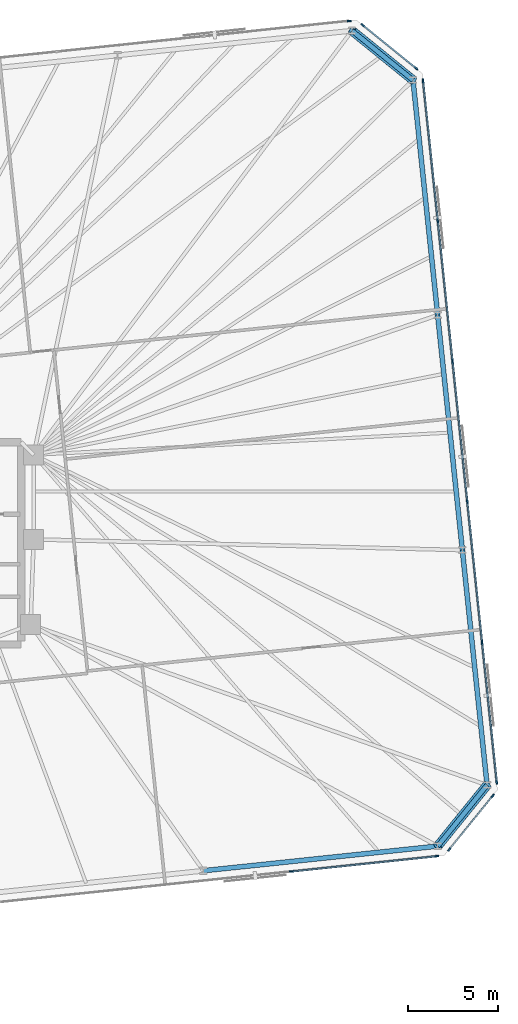
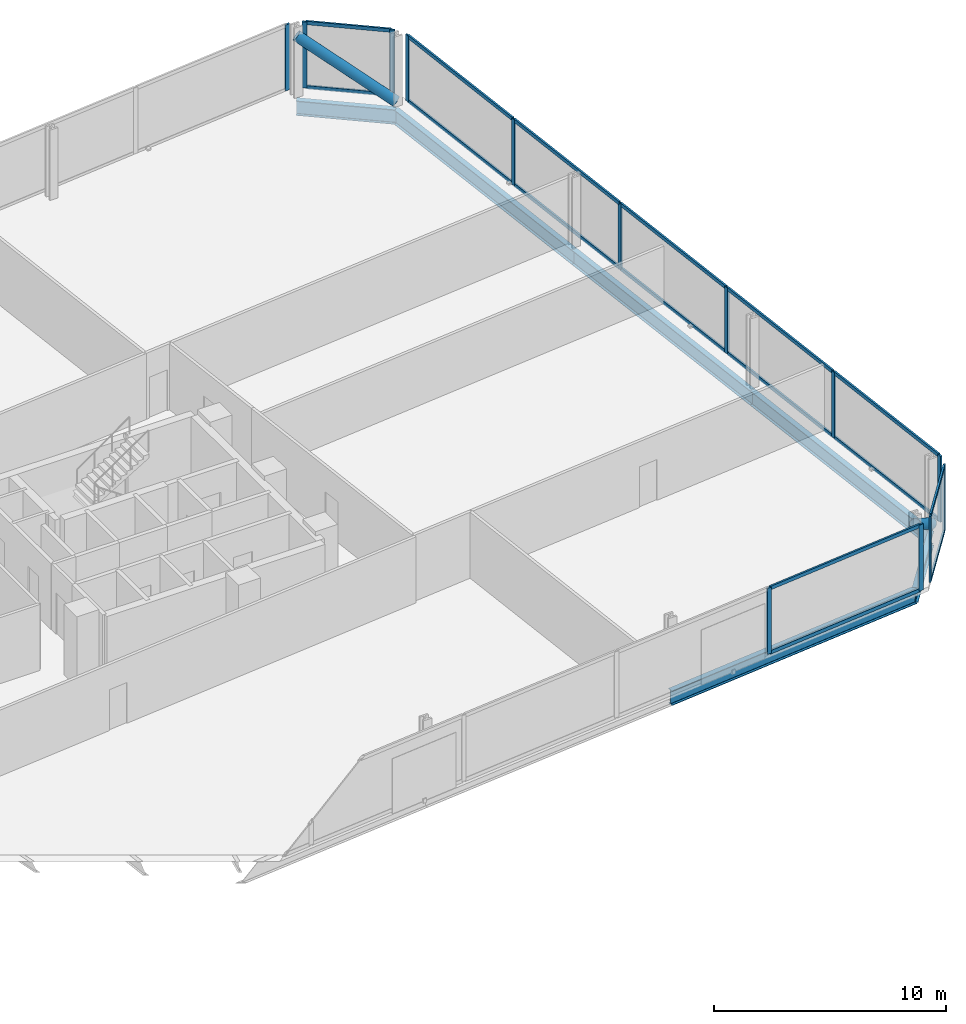
# One storey, part 12 of 18: 31 members, 6 beams, 5 elements without a shape of their own.
"""IFC4 building model written with IfcOpenShell, lengths in metres."""

from ifc_helpers import new_model, si_unit, direction, frame, origin, origin_2d, place, context, subcontext, project, spatial, rectangle, hollow_circle, i_section, extrude, material, material_profile, profile_set, type_object, element, aggregate, save


model = new_model("IFC4")

# Units and contexts
model_context = context("Model", 3, precision=1e-05, world=origin(), true_north=direction((0.0, 1.0)))
body_context = subcontext(model_context, "Body", "Model", "MODEL_VIEW")
ifc_project = project(units=[si_unit("LENGTHUNIT", "METRE"), si_unit("AREAUNIT", "SQUARE_METRE"), si_unit("VOLUMEUNIT", "CUBIC_METRE"), si_unit("PLANEANGLEUNIT", "RADIAN"), si_unit("MASSUNIT", "GRAM", prefix="KILO")], contexts=[model_context])

# Site, building, storey
site_placement = place(None, origin())
site = spatial("IfcSite", under=ifc_project, at=site_placement, CompositionType="ELEMENT")
building_placement = place(site_placement, origin())
building = spatial("IfcBuilding", under=site, at=building_placement, Name="Menara Jurai Vektor", CompositionType="ELEMENT")
storey_placement = place(building_placement, frame((0.0, 0.0, 135.5)))
storey = spatial("IfcBuildingStorey", under=building, at=storey_placement, Name="L34", CompositionType="ELEMENT", Elevation=135.5)

# Curtain wall, members
ifc_material_1 = material(Name="Anodised Pale Aluminium & Low-E Double Glazing", Category="aluminium")
curtain_wall_type = type_object("IfcCurtainWallType", Name="CW-BLK2", PredefinedType="NOTDEFINED", material=ifc_material_1)
curtain_wall_1_placement = place(storey_placement, origin())
curtain_wall_1 = element("IfcCurtainWall", 1, at=curtain_wall_1_placement, inside=storey, type_object=curtain_wall_type, Name="Unitised Curtain Wall L34 F01", PredefinedType="NOTDEFINED")
ifc_material_2 = material(Name="Anodised Pale Aluminium Mullion", Category="aluminium")
ifc_material_profile_1 = material_profile(ifc_material_2, rectangle(XDim=0.090087890625, YDim=0.219970703125, at=origin_2d()), Name="ALU MUL 90x220")
ifc_profile_set_1 = profile_set([ifc_material_profile_1], Name="Anodised Pale Aluminium Mullion")
member_type_1 = type_object("IfcMemberType", Name="CW-BLK2-MUL", PredefinedType="MULLION", material=ifc_profile_set_1)
member_1_placement = place(storey_placement, frame((29.52392578125, -18.169189453125, 0.0), z_axis=(0.0, 0.0, 1.0), x_axis=(-0.104528634935, 0.994521877325, 0.0)))
member_1 = element("IfcMember", 2, at=member_1_placement, type_object=member_type_1, Name="CW-02 mullion 8", PredefinedType="MULLION", context=body_context, shape_type="SweptSolid", body=[
    extrude(rectangle(XDim=0.090087890625, YDim=0.219970703125, at=origin_2d()), origin(), (0.0, 0.0, 1.0), 3.47509765625),
])
member_2_placement = place(storey_placement, frame((37.5771484375, -17.32275390625, 0.0), z_axis=(0.0, 0.0, 1.0), x_axis=(-0.104528634935, 0.994521877325, 0.0)))
member_2 = element("IfcMember", 3, at=member_2_placement, type_object=member_type_1, Name="CW-02 mullion 9", PredefinedType="MULLION", context=body_context, shape_type="SweptSolid", body=[
    extrude(rectangle(XDim=0.090087890625, YDim=0.219970703125, at=origin_2d()), origin(), (0.0, 0.0, 1.0), 3.47509765625),
])

curtain_wall_2_placement = place(storey_placement, origin())
curtain_wall_2 = element("IfcCurtainWall", 4, at=curtain_wall_2_placement, inside=storey, type_object=curtain_wall_type, Name="Unitised Curtain Wall L34 F02", PredefinedType="NOTDEFINED")
member_3_placement = place(storey_placement, frame((38.267333984375, -16.9482421875, 0.0), z_axis=(0.0, 0.0, 1.0), x_axis=(-0.777129222223, 0.62934106172, 0.0)))
member_3 = element("IfcMember", 5, at=member_3_placement, type_object=member_type_1, Name="CW-02 mullion 1", PredefinedType="MULLION", context=body_context, shape_type="SweptSolid", body=[
    extrude(rectangle(XDim=0.090087890625, YDim=0.219970703125, at=origin_2d()), origin(), (0.0, 0.0, 1.0), 3.47509765625),
])
member_4_placement = place(storey_placement, frame((40.66943359375, -13.98193359375, 0.0), z_axis=(0.0, 0.0, 1.0), x_axis=(-0.777129222223, 0.62934106172, 0.0)))
member_4 = element("IfcMember", 6, at=member_4_placement, type_object=member_type_1, Name="CW-02 mullion 2", PredefinedType="MULLION", context=body_context, shape_type="SweptSolid", body=[
    extrude(rectangle(XDim=0.090087890625, YDim=0.219970703125, at=origin_2d()), origin(), (0.0, 0.0, 1.0), 3.47509765625),
])

curtain_wall_3_placement = place(storey_placement, origin())
curtain_wall_3 = element("IfcCurtainWall", 7, at=curtain_wall_3_placement, inside=storey, type_object=curtain_wall_type, Name="Unitised Curtain Wall L34 F03", PredefinedType="NOTDEFINED")
member_5_placement = place(storey_placement, frame((40.892333984375, -13.22900390625, 0.0), z_axis=(0.0, 0.0, 1.0), x_axis=(-0.99452177832, -0.104529576902, 0.0)))
member_5 = element("IfcMember", 8, at=member_5_placement, type_object=member_type_1, Name="CW-02 mullion 1", PredefinedType="MULLION", context=body_context, shape_type="SweptSolid", body=[
    extrude(rectangle(XDim=0.090087890625, YDim=0.219970703125, at=origin_2d()), origin(), (0.0, 0.0, 1.0), 3.47509765625),
])
member_6_placement = place(storey_placement, frame((40.078857421875, -5.488525390625, 0.0), z_axis=(0.0, 0.0, 1.0), x_axis=(-0.99452177832, -0.104529576902, 0.0)))
member_6 = element("IfcMember", 9, at=member_6_placement, type_object=member_type_1, Name="CW-02 mullion 2", PredefinedType="MULLION", context=body_context, shape_type="SweptSolid", body=[
    extrude(rectangle(XDim=0.090087890625, YDim=0.219970703125, at=origin_2d()), origin(), (0.0, 0.0, 1.0), 3.47509765625),
])
member_7_placement = place(storey_placement, frame((39.260498046875, 2.296630859375, 0.0), z_axis=(0.0, 0.0, 1.0), x_axis=(-0.99452177832, -0.104529576902, 0.0)))
member_7 = element("IfcMember", 10, at=member_7_placement, type_object=member_type_1, Name="CW-02 mullion 3", PredefinedType="MULLION", context=body_context, shape_type="SweptSolid", body=[
    extrude(rectangle(XDim=0.090087890625, YDim=0.219970703125, at=origin_2d()), origin(), (0.0, 0.0, 1.0), 3.47509765625),
])
member_8_placement = place(storey_placement, frame((38.4423828125, 10.081787109375, 0.0), z_axis=(0.0, 0.0, 1.0), x_axis=(-0.99452177832, -0.104529576902, 0.0)))
member_8 = element("IfcMember", 11, at=member_8_placement, type_object=member_type_1, Name="CW-02 mullion 4", PredefinedType="MULLION", context=body_context, shape_type="SweptSolid", body=[
    extrude(rectangle(XDim=0.090087890625, YDim=0.219970703125, at=origin_2d()), origin(), (0.0, 0.0, 1.0), 3.47509765625),
])
member_9_placement = place(storey_placement, frame((37.6240234375, 17.866943359375, 0.0), z_axis=(0.0, 0.0, 1.0), x_axis=(-0.99452177832, -0.104529576902, 0.0)))
member_9 = element("IfcMember", 12, at=member_9_placement, type_object=member_type_1, Name="CW-02 mullion 5", PredefinedType="MULLION", context=body_context, shape_type="SweptSolid", body=[
    extrude(rectangle(XDim=0.090087890625, YDim=0.219970703125, at=origin_2d()), origin(), (0.0, 0.0, 1.0), 3.47509765625),
])
member_10_placement = place(storey_placement, frame((36.810546875, 25.607177734375, 0.0), z_axis=(0.0, 0.0, 1.0), x_axis=(-0.99452177832, -0.104529576902, 0.0)))
member_10 = element("IfcMember", 13, at=member_10_placement, type_object=member_type_1, Name="CW-02 mullion 6", PredefinedType="MULLION", context=body_context, shape_type="SweptSolid", body=[
    extrude(rectangle(XDim=0.090087890625, YDim=0.219970703125, at=origin_2d()), origin(), (0.0, 0.0, 1.0), 3.47509765625),
])

curtain_wall_4_placement = place(storey_placement, origin())
curtain_wall_4 = element("IfcCurtainWall", 14, at=curtain_wall_4_placement, inside=storey, type_object=curtain_wall_type, Name="Unitised Curtain Wall L34 F04", PredefinedType="NOTDEFINED")
member_11_placement = place(storey_placement, frame((36.435791015625, 26.29736328125, 0.0), z_axis=(0.0, 0.0, 1.0), x_axis=(-0.629313085353, -0.777151877437, 0.0)))
member_11 = element("IfcMember", 15, at=member_11_placement, type_object=member_type_1, Name="CW-02 mullion 1", PredefinedType="MULLION", context=body_context, shape_type="SweptSolid", body=[
    extrude(rectangle(XDim=0.090087890625, YDim=0.219970703125, at=origin_2d()), origin(), (0.0, 0.0, 1.0), 3.47509765625),
])
member_12_placement = place(storey_placement, frame((33.469482421875, 28.699462890625, 0.0), z_axis=(0.0, 0.0, 1.0), x_axis=(-0.629313085353, -0.777151877437, 0.0)))
member_12 = element("IfcMember", 16, at=member_12_placement, type_object=member_type_1, Name="CW-02 mullion 2", PredefinedType="MULLION", context=body_context, shape_type="SweptSolid", body=[
    extrude(rectangle(XDim=0.090087890625, YDim=0.219970703125, at=origin_2d()), origin(), (0.0, 0.0, 1.0), 3.47509765625),
])

# Curtain wall, member
curtain_wall_5_placement = place(storey_placement, origin())
curtain_wall_5 = element("IfcCurtainWall", 17, at=curtain_wall_5_placement, inside=storey, type_object=curtain_wall_type, Name="Unitised Curtain Wall L34 F05", PredefinedType="NOTDEFINED")
member_13_placement = place(storey_placement, frame((32.716552734375, 28.92236328125, 0.0), z_axis=(0.0, 0.0, 1.0), x_axis=(0.104528634935, -0.994521877325, 0.0)))
member_13 = element("IfcMember", 18, at=member_13_placement, type_object=member_type_1, Name="CW-02 mullion 1", PredefinedType="MULLION", context=body_context, shape_type="SweptSolid", body=[
    extrude(rectangle(XDim=0.090087890625, YDim=0.219970703125, at=origin_2d()), origin(), (0.0, 0.0, 1.0), 3.47509765625),
])
aggregate(curtain_wall_5, [member_13])

# Member
ifc_material_3 = material(Name="Anodised Pale Aluminium Transom", Category="aluminium")
ifc_material_profile_2 = material_profile(ifc_material_3, rectangle(XDim=0.090087890625, YDim=0.18505859375, at=origin_2d()), Name="ALU TRN 90x185")
ifc_profile_set_2 = profile_set([ifc_material_profile_2], Name="Anodised Pale Aluminium Transom")
member_type_2 = type_object("IfcMemberType", Name="CW-BLK2-TRN", PredefinedType="USERDEFINED", material=ifc_profile_set_2)
member_14_placement = place(storey_placement, frame((29.56884765625, -18.16455078125, 0.044921875), z_axis=(0.994519977808, 0.104546706027, 0.0), x_axis=(-0.104546706027, 0.994519977808, 0.0)))
member_14 = element("IfcMember", 19, at=member_14_placement, type_object=member_type_2, Name="CW-02 transom 8.1", ObjectType="TRANSOM", PredefinedType="USERDEFINED", context=body_context, shape_type="SweptSolid", body=[
    extrude(rectangle(XDim=0.090087890625, YDim=0.18505859375, at=origin_2d()), origin(), (0.0, 0.0, 1.0), 8.007568359375),
])

member_15_placement = place(storey_placement, frame((29.56884765625, -18.16455078125, 3.429931640625), z_axis=(0.994519977808, 0.104546706027, 0.0), x_axis=(-0.104546706027, 0.994519977808, 0.0)))
member_15 = element("IfcMember", 20, at=member_15_placement, type_object=member_type_2, Name="CW-02 transom 8.2", ObjectType="TRANSOM", PredefinedType="USERDEFINED", context=body_context, shape_type="SweptSolid", body=[
    extrude(rectangle(XDim=0.090087890625, YDim=0.18505859375, at=origin_2d()), origin(), (0.0, 0.0, 1.0), 8.007568359375),
])

aggregate(curtain_wall_1, [member_1, member_2, member_14, member_15])

member_16_placement = place(storey_placement, frame((38.295654296875, -16.9130859375, 0.044921875), z_axis=(0.6293414396, 0.777128916205, 0.0), x_axis=(-0.777128916205, 0.6293414396, 0.0)))
member_16 = element("IfcMember", 21, at=member_16_placement, type_object=member_type_2, Name="CW-02 transom 1.1", ObjectType="TRANSOM", PredefinedType="USERDEFINED", context=body_context, shape_type="SweptSolid", body=[
    extrude(rectangle(XDim=0.090087890625, YDim=0.18505859375, at=origin_2d()), origin(), (0.0, 0.0, 1.0), 3.726806640625),
])

member_17_placement = place(storey_placement, frame((38.295654296875, -16.9130859375, 3.429931640625), z_axis=(0.6293414396, 0.777128916205, 0.0), x_axis=(-0.777128916205, 0.6293414396, 0.0)))
member_17 = element("IfcMember", 22, at=member_17_placement, type_object=member_type_2, Name="CW-02 transom 1.2", ObjectType="TRANSOM", PredefinedType="USERDEFINED", context=body_context, shape_type="SweptSolid", body=[
    extrude(rectangle(XDim=0.090087890625, YDim=0.18505859375, at=origin_2d()), origin(), (0.0, 0.0, 1.0), 3.726806640625),
])

aggregate(curtain_wall_2, [member_3, member_4, member_16, member_17])

member_18_placement = place(storey_placement, frame((40.8876953125, -13.18408203125, 0.044921875), z_axis=(-0.104536105602, 0.994521092097, 0.0), x_axis=(-0.994521092097, -0.104536105602, 0.0)))
member_18 = element("IfcMember", 23, at=member_18_placement, type_object=member_type_2, Name="CW-02 transom 1.1", ObjectType="TRANSOM", PredefinedType="USERDEFINED", context=body_context, shape_type="SweptSolid", body=[
    extrude(rectangle(XDim=0.090087890625, YDim=0.18505859375, at=origin_2d()), origin(), (0.0, 0.0, 1.0), 7.693115234375),
])

member_19_placement = place(storey_placement, frame((40.8876953125, -13.18408203125, 3.429931640625), z_axis=(-0.104536105602, 0.994521092097, 0.0), x_axis=(-0.994521092097, -0.104536105602, 0.0)))
member_19 = element("IfcMember", 24, at=member_19_placement, type_object=member_type_2, Name="CW-02 transom 1.2", ObjectType="TRANSOM", PredefinedType="USERDEFINED", context=body_context, shape_type="SweptSolid", body=[
    extrude(rectangle(XDim=0.090087890625, YDim=0.18505859375, at=origin_2d()), origin(), (0.0, 0.0, 1.0), 7.693115234375),
])

member_20_placement = place(storey_placement, frame((40.07421875, -5.44384765625, 0.044921875), z_axis=(-0.104528756613, 0.994521864536, 0.0), x_axis=(-0.994521864536, -0.104528756613, 0.0)))
member_20 = element("IfcMember", 25, at=member_20_placement, type_object=member_type_2, Name="CW-02 transom 2.1", ObjectType="TRANSOM", PredefinedType="USERDEFINED", context=body_context, shape_type="SweptSolid", body=[
    extrude(rectangle(XDim=0.090087890625, YDim=0.18505859375, at=origin_2d()), origin(), (0.0, 0.0, 1.0), 7.738037109375),
])

member_21_placement = place(storey_placement, frame((40.07421875, -5.44384765625, 3.429931640625), z_axis=(-0.104528756613, 0.994521864536, 0.0), x_axis=(-0.994521864536, -0.104528756613, 0.0)))
member_21 = element("IfcMember", 26, at=member_21_placement, type_object=member_type_2, Name="CW-02 transom 2.2", ObjectType="TRANSOM", PredefinedType="USERDEFINED", context=body_context, shape_type="SweptSolid", body=[
    extrude(rectangle(XDim=0.090087890625, YDim=0.18505859375, at=origin_2d()), origin(), (0.0, 0.0, 1.0), 7.738037109375),
])

member_22_placement = place(storey_placement, frame((39.255859375, 2.34130859375, 0.044921875), z_axis=(-0.104528756613, 0.994521864536, 0.0), x_axis=(-0.994521864536, -0.104528756613, 0.0)))
member_22 = element("IfcMember", 27, at=member_22_placement, type_object=member_type_2, Name="CW-02 transom 3.1", ObjectType="TRANSOM", PredefinedType="USERDEFINED", context=body_context, shape_type="SweptSolid", body=[
    extrude(rectangle(XDim=0.090087890625, YDim=0.18505859375, at=origin_2d()), origin(), (0.0, 0.0, 1.0), 7.738037109375),
])

member_23_placement = place(storey_placement, frame((39.255859375, 2.34130859375, 3.429931640625), z_axis=(-0.104528756613, 0.994521864536, 0.0), x_axis=(-0.994521864536, -0.104528756613, 0.0)))
member_23 = element("IfcMember", 28, at=member_23_placement, type_object=member_type_2, Name="CW-02 transom 3.2", ObjectType="TRANSOM", PredefinedType="USERDEFINED", context=body_context, shape_type="SweptSolid", body=[
    extrude(rectangle(XDim=0.090087890625, YDim=0.18505859375, at=origin_2d()), origin(), (0.0, 0.0, 1.0), 7.738037109375),
])

member_24_placement = place(storey_placement, frame((38.4375, 10.12646484375, 0.044921875), z_axis=(-0.104528756613, 0.994521864536, 0.0), x_axis=(-0.994521864536, -0.104528756613, 0.0)))
member_24 = element("IfcMember", 29, at=member_24_placement, type_object=member_type_2, Name="CW-02 transom 4.1", ObjectType="TRANSOM", PredefinedType="USERDEFINED", context=body_context, shape_type="SweptSolid", body=[
    extrude(rectangle(XDim=0.090087890625, YDim=0.18505859375, at=origin_2d()), origin(), (0.0, 0.0, 1.0), 7.738037109375),
])

member_25_placement = place(storey_placement, frame((38.4375, 10.12646484375, 3.429931640625), z_axis=(-0.104528756613, 0.994521864536, 0.0), x_axis=(-0.994521864536, -0.104528756613, 0.0)))
member_25 = element("IfcMember", 30, at=member_25_placement, type_object=member_type_2, Name="CW-02 transom 4.2", ObjectType="TRANSOM", PredefinedType="USERDEFINED", context=body_context, shape_type="SweptSolid", body=[
    extrude(rectangle(XDim=0.090087890625, YDim=0.18505859375, at=origin_2d()), origin(), (0.0, 0.0, 1.0), 7.738037109375),
])

member_26_placement = place(storey_placement, frame((37.619384765625, 17.91162109375, 0.044921875), z_axis=(-0.104536105602, 0.994521092097, 0.0), x_axis=(-0.994521092097, -0.104536105602, 0.0)))
member_26 = element("IfcMember", 31, at=member_26_placement, type_object=member_type_2, Name="CW-02 transom 5.1", ObjectType="TRANSOM", PredefinedType="USERDEFINED", context=body_context, shape_type="SweptSolid", body=[
    extrude(rectangle(XDim=0.090087890625, YDim=0.18505859375, at=origin_2d()), origin(), (0.0, 0.0, 1.0), 7.693115234375),
])

member_27_placement = place(storey_placement, frame((37.619384765625, 17.91162109375, 3.429931640625), z_axis=(-0.104536105602, 0.994521092097, 0.0), x_axis=(-0.994521092097, -0.104536105602, 0.0)))
member_27 = element("IfcMember", 32, at=member_27_placement, type_object=member_type_2, Name="CW-02 transom 5.2", ObjectType="TRANSOM", PredefinedType="USERDEFINED", context=body_context, shape_type="SweptSolid", body=[
    extrude(rectangle(XDim=0.090087890625, YDim=0.18505859375, at=origin_2d()), origin(), (0.0, 0.0, 1.0), 7.693115234375),
])

aggregate(curtain_wall_3, [member_5, member_6, member_7, member_8, member_9, member_10, member_18, member_19, member_20, member_21, member_22, member_23, member_24, member_25, member_26, member_27])

member_28_placement = place(storey_placement, frame((36.40087890625, 26.32568359375, 0.044921875), z_axis=(-0.77715486027, 0.629309401772, 0.0), x_axis=(-0.629309401772, -0.77715486027, 0.0)))
member_28 = element("IfcMember", 33, at=member_28_placement, type_object=member_type_2, Name="CW-02 transom 1.1", ObjectType="TRANSOM", PredefinedType="USERDEFINED", context=body_context, shape_type="SweptSolid", body=[
    extrude(rectangle(XDim=0.090087890625, YDim=0.18505859375, at=origin_2d()), origin(), (0.0, 0.0, 1.0), 3.72705078125),
])

member_29_placement = place(storey_placement, frame((36.40087890625, 26.32568359375, 3.429931640625), z_axis=(-0.77715486027, 0.629309401772, 0.0), x_axis=(-0.629309401772, -0.77715486027, 0.0)))
member_29 = element("IfcMember", 34, at=member_29_placement, type_object=member_type_2, Name="CW-02 transom 1.2", ObjectType="TRANSOM", PredefinedType="USERDEFINED", context=body_context, shape_type="SweptSolid", body=[
    extrude(rectangle(XDim=0.090087890625, YDim=0.18505859375, at=origin_2d()), origin(), (0.0, 0.0, 1.0), 3.72705078125),
])

aggregate(curtain_wall_4, [member_11, member_12, member_28, member_29])

# Members
ifc_material_4 = material(Name="Steel S460", Category="steel")
ifc_material_profile_3 = material_profile(ifc_material_4, hollow_circle(Radius=0.25390625, WallThickness=0.02001953125, at=origin_2d()), Name="CHS 508x20")
ifc_profile_set_3 = profile_set([ifc_material_profile_3], Name="Steel S460")
member_type_3 = type_object("IfcMemberType", Name="STR-BR-508", PredefinedType="BRACE", material=ifc_profile_set_3)
for number, where, z_axis, x_axis, name in (
    (35, (40.356201171875, -13.388671875, 0.14990234375), (-0.519271719394, -0.641207846359, 0.564986176119), (0.777127086072, -0.629343699494, 0.0), "Exoskeleton Corner Brace L34-1"),
    (36, (36.252685546875, 25.65185546875, 0.14990234375), (-0.641207846359, 0.519271719394, 0.564986176119), (-0.629343699494, -0.777127086072, 0.0), "Exoskeleton Corner Brace L34-2"),
):
    element("IfcMember", number, at=place(storey_placement, frame(where, z_axis=z_axis, x_axis=x_axis)), inside=storey, type_object=member_type_3, Name=name, PredefinedType="BRACE", context=body_context, shape_type="SweptSolid", body=[
        extrude(hollow_circle(Radius=0.25390625, WallThickness=0.02001953125, at=origin_2d()), origin(), (0.0, 0.0, 1.0), 5.265869140625),
    ])

# Beams
ifc_material_profile_4 = material_profile(ifc_material_4, i_section(OverallWidth=0.26806640625, OverallDepth=0.77001953125, WebThickness=0.01611328125, FlangeThickness=0.02490234375, FilletRadius=0.01708984375, at=origin_2d()), Name="UKB 762x267x197")
ifc_profile_set_4 = profile_set([ifc_material_profile_4], Name="Steel S460")
beam_type = type_object("IfcBeamType", Name="STR-SP-762", PredefinedType="SPANDREL", material=ifc_profile_set_4)
beam_1_placement = place(storey_placement, frame((24.64208984375, -18.12939453125, -0.610107421875), z_axis=(0.994521636083, 0.104530930169, 0.0), x_axis=(-0.104530930169, 0.994521636083, 0.0)))
element("IfcBeam", 37, at=beam_1_placement, inside=storey, type_object=beam_type, Name="Exoskeleton Spandrel Beam L34-05", PredefinedType="SPANDREL", context=body_context, shape_type="SweptSolid", body=[
    extrude(i_section(OverallWidth=0.26806640625, OverallDepth=0.77001953125, WebThickness=0.01611328125, FlangeThickness=0.02490234375, FilletRadius=0.01708984375, at=origin_2d()), origin(), (0.0, 0.0, 1.0), 13.05126953125),
])
beam_2_placement = place(storey_placement, frame((37.621826171875, -16.76513671875, -0.610107421875), z_axis=(0.629343699494, 0.777127086072, 0.0), x_axis=(-0.777127086072, 0.629343699494, 0.0)))
element("IfcBeam", 38, at=beam_2_placement, inside=storey, type_object=beam_type, Name="Exoskeleton Spandrel Beam L34-06", PredefinedType="SPANDREL", context=body_context, shape_type="SweptSolid", body=[
    extrude(i_section(OverallWidth=0.26806640625, OverallDepth=0.77001953125, WebThickness=0.01611328125, FlangeThickness=0.02490234375, FilletRadius=0.01708984375, at=origin_2d()), origin(), (0.0, 0.0, 1.0), 4.3447265625),
])
beam_3_placement = place(storey_placement, frame((40.356201171875, -13.388671875, -0.610107421875), z_axis=(-0.104538130097, 0.994520879296, 0.0), x_axis=(-0.994520879296, -0.104538130097, 0.0)))
element("IfcBeam", 39, at=beam_3_placement, inside=storey, type_object=beam_type, Name="Exoskeleton Spandrel Beam L34-07", PredefinedType="SPANDREL", context=body_context, shape_type="SweptSolid", body=[
    extrude(i_section(OverallWidth=0.26806640625, OverallDepth=0.77001953125, WebThickness=0.01611328125, FlangeThickness=0.02490234375, FilletRadius=0.01708984375, at=origin_2d()), origin(), (0.0, 0.0, 1.0), 13.08544921875),
])
beam_4_placement = place(storey_placement, frame((38.98828125, -0.375, -0.610107421875), z_axis=(-0.104521615846, 0.994522615037, 0.0), x_axis=(-0.994522615037, -0.104521615846, 0.0)))
element("IfcBeam", 40, at=beam_4_placement, inside=storey, type_object=beam_type, Name="Exoskeleton Spandrel Beam L34-08", PredefinedType="SPANDREL", context=body_context, shape_type="SweptSolid", body=[
    extrude(i_section(OverallWidth=0.26806640625, OverallDepth=0.77001953125, WebThickness=0.01611328125, FlangeThickness=0.02490234375, FilletRadius=0.01708984375, at=origin_2d()), origin(), (0.0, 0.0, 1.0), 13.085205078125),
])
beam_5_placement = place(storey_placement, frame((37.62060546875, 12.638427734375, -0.610107421875), z_axis=(-0.104538130097, 0.994520879296, 0.0), x_axis=(-0.994520879296, -0.104538130097, 0.0)))
element("IfcBeam", 41, at=beam_5_placement, inside=storey, type_object=beam_type, Name="Exoskeleton Spandrel Beam L34-09", PredefinedType="SPANDREL", context=body_context, shape_type="SweptSolid", body=[
    extrude(i_section(OverallWidth=0.26806640625, OverallDepth=0.77001953125, WebThickness=0.01611328125, FlangeThickness=0.02490234375, FilletRadius=0.01708984375, at=origin_2d()), origin(), (0.0, 0.0, 1.0), 13.08544921875),
])
beam_6_placement = place(storey_placement, frame((36.252685546875, 25.652099609375, -0.610107421875), z_axis=(-0.777154568396, 0.629309762217, 0.0), x_axis=(-0.629309762217, -0.777154568396, 0.0)))
element("IfcBeam", 42, at=beam_6_placement, inside=storey, type_object=beam_type, Name="Exoskeleton Spandrel Beam L34-10", PredefinedType="SPANDREL", context=body_context, shape_type="SweptSolid", body=[
    extrude(i_section(OverallWidth=0.26806640625, OverallDepth=0.77001953125, WebThickness=0.01611328125, FlangeThickness=0.02490234375, FilletRadius=0.01708984375, at=origin_2d()), origin(), (0.0, 0.0, 1.0), 4.3447265625),
])

save(model, "model.ifc")
